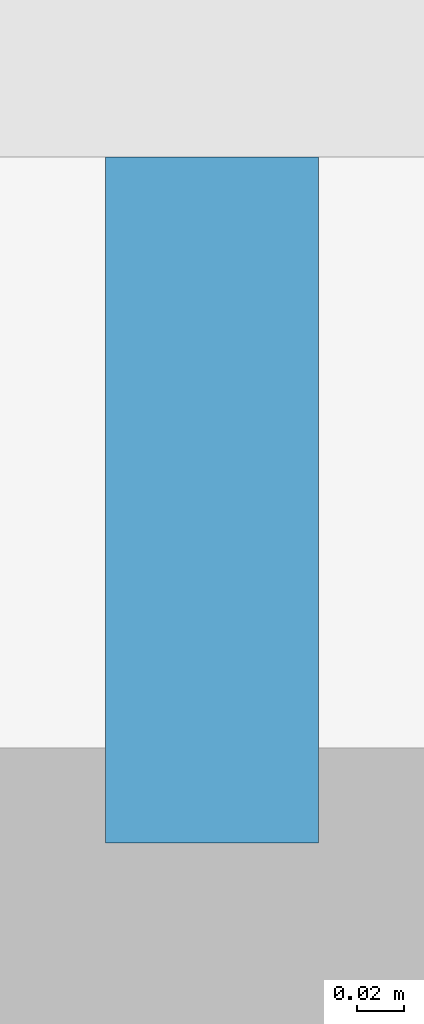
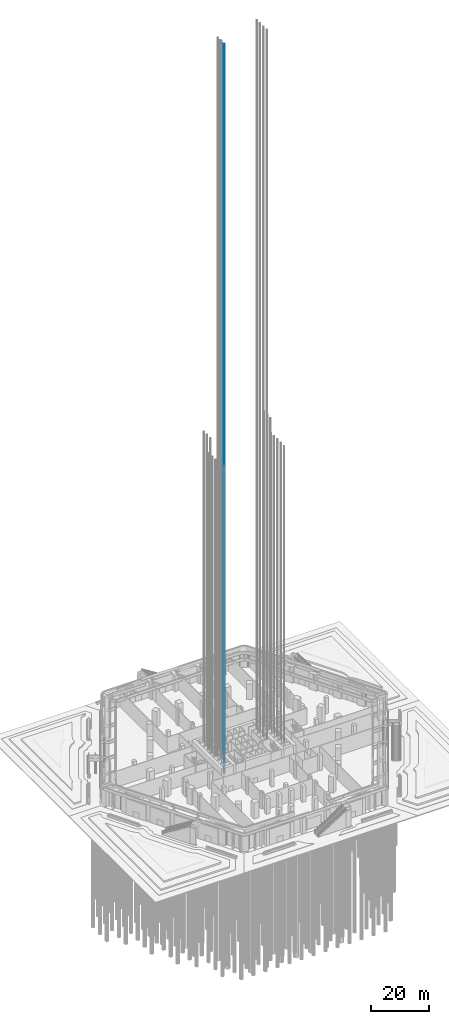
# One storey, part 39 of 68: 1 discrete accessory.
"""IFC4 building model written with IfcOpenShell, lengths in metres."""

import ifcopenshell
import ifcopenshell.guid

model = None  # the IFC model being written
_history = None  # IfcOwnerHistory: only IFC2X3 demands one
_inside = {}  # id of a spatial element -> (the spatial element, [elements in it])
_under = {}  # id of a project, library or spatial element -> (it, [spatial elements below it])
_declared = {}  # id of a project -> (the project, [libraries it declares])
_typed = {}  # id of a type object -> (the type object, [elements of that type])
_made_of = {}  # id of a material, layer set ... -> (it, [elements and type objects made of it])


def new_model(schema):
    """Start an empty IFC model of exactly this schema.

    Asked for "IFC4X3", IfcOpenShell would pick the latest addendum, in which some entities
    have other attributes; the version numbers below select the first issue.
    IFC2X3 requires an IfcOwnerHistory on every rooted entity: one is made here for all.
    """
    global model, _history
    if schema == "IFC4X3":
        model = ifcopenshell.file(schema_version=(4, 3, 0, 0))
    else:
        model = ifcopenshell.file(schema=schema)
    _inside.clear()
    _under.clear()
    _declared.clear()
    _typed.clear()
    _made_of.clear()
    _history = None
    if model.schema == "IFC2X3":
        org = make("IfcOrganization", Name="unknown")
        user = make(
            "IfcPersonAndOrganization",
            ThePerson=make("IfcPerson", FamilyName="unknown"),
            TheOrganization=org,
        )
        app = make(
            "IfcApplication",
            ApplicationDeveloper=org,
            Version="unknown",
            ApplicationFullName="unknown",
            ApplicationIdentifier="unknown",
        )
        _history = make(
            "IfcOwnerHistory",
            OwningUser=user,
            OwningApplication=app,
            ChangeAction="ADDED",
            CreationDate=0,
        )
    return model


def make(cls, **values):
    """One entity of the class cls with the attributes given. An attribute that is None is left unset."""
    return model.create_entity(
        cls, **{name: value for name, value in values.items() if value is not None}
    )


def rooted(cls, **values):
    """An entity with a GlobalId (a new one), such as an element, a storey or a relation."""
    return make(cls, GlobalId=ifcopenshell.guid.new(), OwnerHistory=_history, **values)


def si_unit(unit_type, name, prefix=None):
    """IfcSIUnit, for example si_unit("LENGTHUNIT", "METRE", prefix="MILLI")."""
    return make("IfcSIUnit", UnitType=unit_type, Prefix=prefix, Name=name)


def assignment(units):
    """IfcUnitAssignment: the units of a project."""
    return None if units is None else make("IfcUnitAssignment", Units=units)


def point(xyz):
    """IfcCartesianPoint."""
    return None if xyz is None else make("IfcCartesianPoint", Coordinates=xyz)


def direction(xyz):
    """IfcDirection."""
    return None if xyz is None else make("IfcDirection", DirectionRatios=xyz)


def frame(location, z_axis=None, x_axis=None):
    """IfcAxis2Placement3D, a coordinate frame: its origin and axes. An axis left out is left unset."""
    return make(
        "IfcAxis2Placement3D",
        Location=point(location),
        Axis=direction(z_axis),
        RefDirection=direction(x_axis),
    )


def frame_2d(location, x_axis=None):
    """IfcAxis2Placement2D, a coordinate frame in the plane: its origin and x axis."""
    return make(
        "IfcAxis2Placement2D", Location=point(location), RefDirection=direction(x_axis)
    )


def origin():
    """The frame at (0, 0, 0) with its axes left unset."""
    return frame((0.0, 0.0, 0.0))


def origin_2d():
    """The frame at (0, 0) in the plane with its x axis left unset."""
    return frame_2d((0.0, 0.0))


def place(relative_to, where):
    """IfcLocalPlacement: puts the frame where relative to a parent placement (None: the world)."""
    return make(
        "IfcLocalPlacement", PlacementRelTo=relative_to, RelativePlacement=where
    )


def context(
    kind, dimensions, precision=None, world=None, true_north=None, identifier=None
):
    """IfcGeometricRepresentationContext, for example the 3D "Model" context."""
    return make(
        "IfcGeometricRepresentationContext",
        ContextIdentifier=identifier,
        ContextType=kind,
        CoordinateSpaceDimension=dimensions,
        Precision=precision,
        WorldCoordinateSystem=world,
        TrueNorth=true_north,
    )


def subcontext(parent, identifier, kind, view, scale=None):
    """IfcGeometricRepresentationSubContext, for example "Body" below "Model"."""
    return make(
        "IfcGeometricRepresentationSubContext",
        ContextIdentifier=identifier,
        ContextType=kind,
        ParentContext=parent,
        TargetScale=scale,
        TargetView=view,
    )


def project(units=None, contexts=None):
    """IfcProject with its units and contexts."""
    return rooted(
        "IfcProject",
        Name="project",
        RepresentationContexts=contexts,
        UnitsInContext=assignment(units),
    )


def spatial(cls, under=None, at=None, **own):
    """A site, building, storey or space (cls), placed at a placement, below another one or the project."""
    s = rooted(cls, ObjectPlacement=at, **own)
    if under is not None:
        _under.setdefault(under.id(), (under, []))[1].append(s)
    return s


def profile(cls, at=None, kind="AREA", **sizes):
    """A parametric profile (cls). Its sizes go by their IFC names, for example OverallWidth=200.0."""
    return make(cls, ProfileType=kind, Position=at, **sizes)


def rectangle(**sizes):
    """IfcRectangleProfileDef."""
    return profile("IfcRectangleProfileDef", **sizes)


def extrude(swept, where, along, depth):
    """IfcExtrudedAreaSolid: the profile swept, set in the frame where, extruded along a direction by depth."""
    return make(
        "IfcExtrudedAreaSolid",
        SweptArea=swept,
        Position=where,
        ExtrudedDirection=direction(along),
        Depth=depth,
    )


def shape(context_of_items, identifier, shape_type, items):
    """IfcShapeRepresentation: the items that make up one representation, for example the "Body"."""
    return make(
        "IfcShapeRepresentation",
        ContextOfItems=context_of_items,
        RepresentationIdentifier=identifier,
        RepresentationType=shape_type,
        Items=items,
    )


def made_of(thing, what):
    """Note that an element or type object is made of a material, layer set ...; save() writes the relation."""
    if what is not None:
        _made_of.setdefault(what.id(), (what, []))[1].append(thing)
    return thing


def element(
    cls,
    number,
    at=None,
    inside=None,
    cuts=None,
    type_object=None,
    material=None,
    context=None,
    identifier="Body",
    shape_type=None,
    held_by="IfcProductDefinitionShape",
    body=None,
    shapes=None,
    **own,
):
    """One element of the class cls, such as IfcWall. Its Tag is "e" and its number.

    at: its placement. inside: the storey or other place that contains it. cuts: it is an
    opening in that element (IfcRelVoidsElement). A single representation is given by context,
    identifier, shape_type and body (its items); several are given by shapes. held_by: the class
    of the entity that holds the representations. save() writes the other relations.
    """
    e = rooted(cls, Tag="e%d" % number, ObjectPlacement=at, **own)
    if body is not None:
        shapes = [shape(context, identifier, shape_type, body)]
    if shapes is not None:
        e.Representation = make(held_by, Representations=shapes)
    if inside is not None:
        _inside.setdefault(inside.id(), (inside, []))[1].append(e)
    if cuts is not None:
        rooted(
            "IfcRelVoidsElement", RelatingBuildingElement=cuts, RelatedOpeningElement=e
        )
    if type_object is not None:
        _typed.setdefault(type_object.id(), (type_object, []))[1].append(e)
    return made_of(e, material)


def aggregate(whole, parts):
    """IfcRelAggregates: a whole, such as a stair, and the parts it consists of."""
    return rooted("IfcRelAggregates", RelatingObject=whole, RelatedObjects=parts)


def save(model, path):
    """Write the relations noted so far, then the file.

    IfcRelAggregates (storeys below a building ...), IfcRelContainedInSpatialStructure (elements
    in a storey), IfcRelDefinesByType, IfcRelAssociatesMaterial and IfcRelDeclares: one each for
    every whole, place, type object, material and project.
    """
    for whole, parts in _under.values():
        aggregate(whole, parts)
    for where, things in _inside.values():
        rooted(
            "IfcRelContainedInSpatialStructure",
            RelatedElements=things,
            RelatingStructure=where,
        )
    for kind, things in _typed.values():
        rooted("IfcRelDefinesByType", RelatedObjects=things, RelatingType=kind)
    for what, things in _made_of.values():
        rooted("IfcRelAssociatesMaterial", RelatedObjects=things, RelatingMaterial=what)
    for by, libraries in _declared.values():
        rooted("IfcRelDeclares", RelatingContext=by, RelatedDefinitions=libraries)
    model.write(path)


model = new_model("IFC4")

# Units and contexts
model_context = context("Model", 3, precision=1e-05, world=origin(), true_north=direction((0.0, 1.0)))
body_context = subcontext(model_context, "Body", "Model", "MODEL_VIEW")
ifc_project = project(units=[si_unit("LENGTHUNIT", "METRE"), si_unit("AREAUNIT", "SQUARE_METRE"), si_unit("VOLUMEUNIT", "CUBIC_METRE"), si_unit("PLANEANGLEUNIT", "RADIAN"), si_unit("MASSUNIT", "GRAM", prefix="KILO")], contexts=[model_context])

# Site, building, storey
site_placement = place(None, origin())
site = spatial("IfcSite", under=ifc_project, at=site_placement, CompositionType="ELEMENT")
building_placement = place(site_placement, origin())
building = spatial("IfcBuilding", under=site, at=building_placement, Name="Kolab Exchange Tower", CompositionType="ELEMENT")
storey_placement = place(building_placement, origin())
storey = spatial("IfcBuildingStorey", under=building, at=storey_placement, Name="L00", CompositionType="ELEMENT", Elevation=0.0)

# Discrete accessory
discrete_accessory_placement = place(storey_placement, frame((-9.199951171875, -2.14501953125, -1.599853515625), z_axis=(0.0, 0.0, 1.0), x_axis=(1.0, 0.0, 0.0)))
element("IfcDiscreteAccessory", 1, at=discrete_accessory_placement, inside=storey, Name="Guide rail FF1-1", ObjectType="GUIDE RAIL", PredefinedType="USERDEFINED", context=body_context, shape_type="SweptSolid", body=[
    extrude(rectangle(XDim=0.090087890625, YDim=0.2900390625, at=origin_2d()), origin(), (0.0, 0.0, 1.0), 307.89990234375),
])

save(model, "model.ifc")
